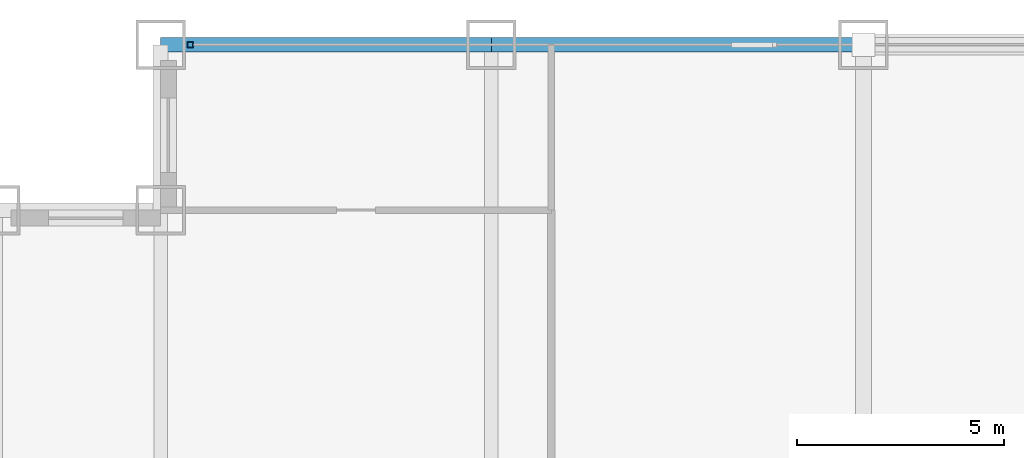
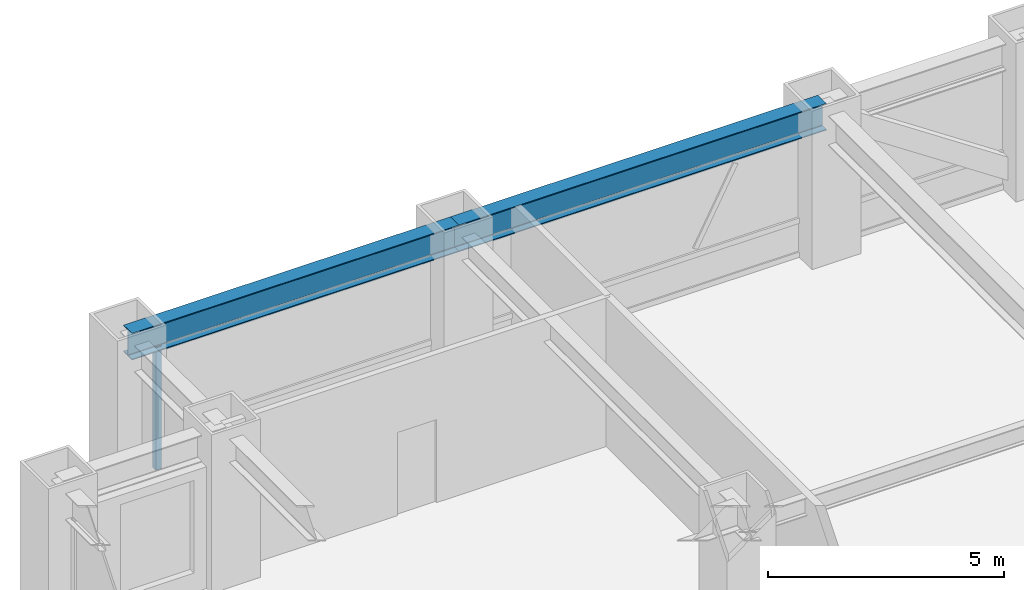
# One storey, part 17 of 28: 2 beams, 1 member, 1 element without a shape of its own.
"""IFC4 building model written with IfcOpenShell, lengths in metres."""

from ifc_helpers import new_model, si_unit, direction, frame, origin, origin_2d, place, context, subcontext, project, spatial, hollow_rectangle, i_section, extrude, source, transform, mapped, material, material_profile, profile_set, type_object, element, aggregate, save


model = new_model("IFC4")

# Units and contexts
model_context = context("Model", 3, precision=1e-05, world=origin(), true_north=direction((0.0, 1.0)))
body_context = subcontext(model_context, "Body", "Model", "MODEL_VIEW")
ifc_project = project(units=[si_unit("LENGTHUNIT", "METRE"), si_unit("AREAUNIT", "SQUARE_METRE"), si_unit("VOLUMEUNIT", "CUBIC_METRE"), si_unit("PLANEANGLEUNIT", "RADIAN"), si_unit("MASSUNIT", "GRAM", prefix="KILO")], contexts=[model_context])

# Site, building, storey
site_placement = place(None, origin())
site = spatial("IfcSite", under=ifc_project, at=site_placement, CompositionType="ELEMENT")
building_placement = place(site_placement, origin())
building = spatial("IfcBuilding", under=site, at=building_placement, Name="Khorayat Bourse Tower", CompositionType="ELEMENT")
storey_placement = place(building_placement, frame((0.0, 0.0, 124.199951171875)))
storey = spatial("IfcBuildingStorey", under=building, at=storey_placement, Name="L28", CompositionType="ELEMENT", Elevation=124.199951171875)

# Beams
ifc_material_1 = material(Name="Steel ASTM A992 Grade 50", Category="steel")
ifc_material_profile_1 = material_profile(ifc_material_1, i_section(OverallWidth=0.35498046875, OverallDepth=0.695068359375, WebThickness=0.015380859375, FlangeThickness=0.02490234375, FilletRadius=0.01806640625, at=origin_2d()), Name="W690X217")
ifc_profile_set_1 = profile_set([ifc_material_profile_1], Name="Steel ASTM A992 Grade 50")
beam_type = type_object("IfcBeamType", Name="BM-SPAN-690", PredefinedType="SPANDREL", material=ifc_profile_set_1)
shared_shape_1 = source(origin(), body_context, "Body", "SweptSolid", [
    extrude(i_section(OverallWidth=0.35498046875, OverallDepth=0.695068359375, WebThickness=0.015380859375, FlangeThickness=0.02490234375, FilletRadius=0.01806640625, at=origin_2d()), origin(), (0.0, 0.0, 1.0), 9.0),
])
beam_1_placement = place(storey_placement, frame((-20.0, 32.0, 3.492431640625), z_axis=(1.0, 0.0, 0.0), x_axis=(0.0, 1.0, 0.0)))
element("IfcBeam", 1, at=beam_1_placement, inside=storey, type_object=beam_type, Name="L28 BM-SPAN-690 BM-L28-SPN-050", PredefinedType="SPANDREL", context=body_context, shape_type="MappedRepresentation", body=[
    mapped(shared_shape_1, transform((0.0, 0.0, 0.0), scale=1.0)),
])
shared_shape_2 = source(origin(), body_context, "Body", "SweptSolid", [
    extrude(i_section(OverallWidth=0.35498046875, OverallDepth=0.695068359375, WebThickness=0.015380859375, FlangeThickness=0.02490234375, FilletRadius=0.01806640625, at=origin_2d()), origin(), (0.0, 0.0, 1.0), 8.0),
])
beam_2_placement = place(storey_placement, frame((-28.0, 32.0, 3.492431640625), z_axis=(1.0, 0.0, 0.0), x_axis=(0.0, 1.0, 0.0)))
element("IfcBeam", 2, at=beam_2_placement, inside=storey, type_object=beam_type, Name="L28 BM-SPAN-690 BM-L28-SPN-051", PredefinedType="SPANDREL", context=body_context, shape_type="MappedRepresentation", body=[
    mapped(shared_shape_2, transform((0.0, 0.0, 0.0), scale=1.0)),
])

# Curtain wall, member
ifc_material_2 = material(Name="Aluminium EN AW-6063 T6", Category="aluminium")
curtain_wall_type = type_object("IfcCurtainWallType", Name="CW-SYS-02", PredefinedType="NOTDEFINED", material=ifc_material_2)
curtain_wall_placement = place(storey_placement, origin())
curtain_wall = element("IfcCurtainWall", 3, at=curtain_wall_placement, inside=storey, type_object=curtain_wall_type, Name="L28 Curtain Wall CW-L28-N1", PredefinedType="NOTDEFINED")
ifc_material_profile_2 = material_profile(ifc_material_2, hollow_rectangle(XDim=0.139892578125, YDim=0.139892578125, WallThickness=0.006103515625, at=origin_2d()), Name="ALU 140x140x6")
ifc_profile_set_2 = profile_set([ifc_material_profile_2], Name="Aluminium EN AW-6063 T6")
member_type = type_object("IfcMemberType", Name="CWM-VERT-140", PredefinedType="MULLION", material=ifc_profile_set_2)
shared_shape_3 = source(origin(), body_context, "Body", "SweptSolid", [
    extrude(hollow_rectangle(XDim=0.139892578125, YDim=0.139892578125, WallThickness=0.006103515625, at=origin_2d()), origin(), (0.0, 0.0, 1.0), 3.18994140625),
])
member_placement = place(storey_placement, frame((-27.280029296875, 32.0, 0.0), z_axis=(0.0, 0.0, 1.0), x_axis=(0.0, 1.0, 0.0)))
member = element("IfcMember", 4, at=member_placement, type_object=member_type, Name="CW-L28-N1 Vertical Mullion 1", PredefinedType="MULLION", context=body_context, shape_type="MappedRepresentation", body=[
    mapped(shared_shape_3, transform((0.0, 0.0, 0.0), scale=1.0)),
])
aggregate(curtain_wall, [member])

save(model, "model.ifc")
